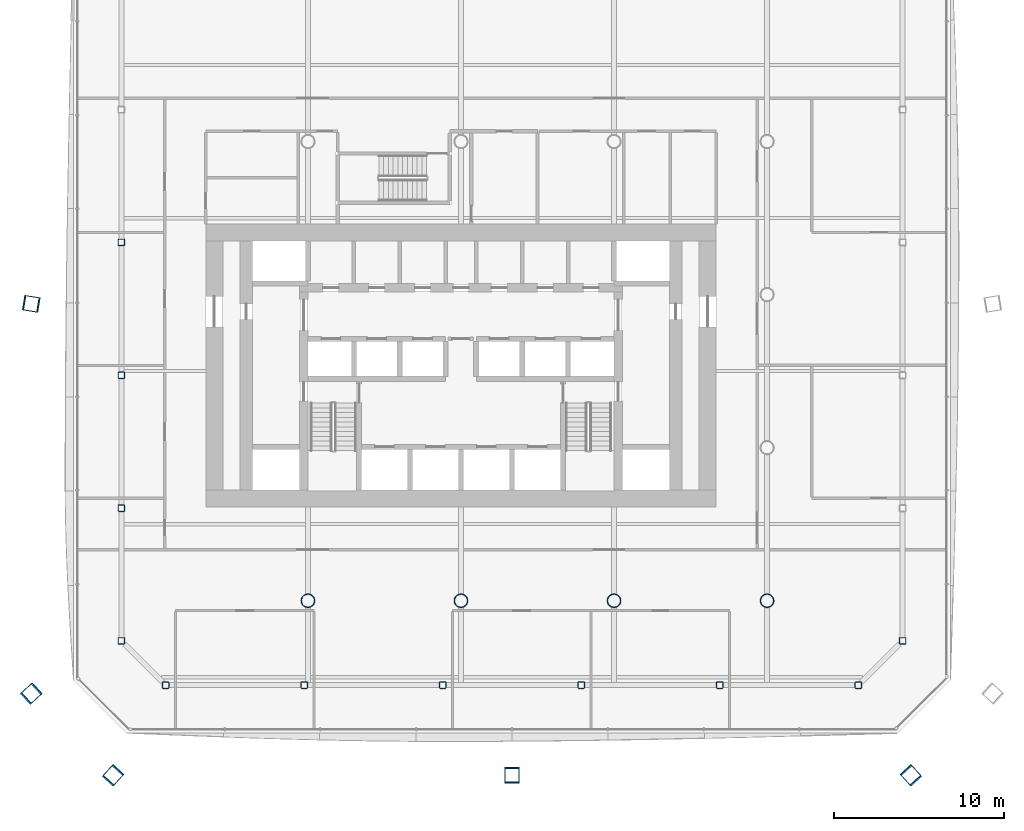
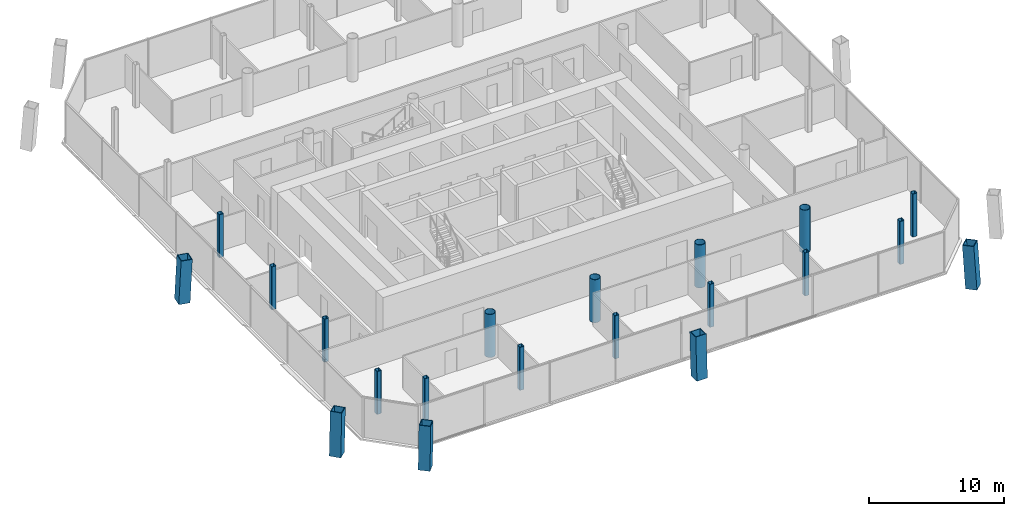
# One storey, part 1 of 20: 20 columns.
"""IFC4 building model written with IfcOpenShell, lengths in metres."""

from ifc_helpers import new_model, si_unit, direction, frame, origin, origin_2d, place, context, subcontext, project, spatial, hollow_rectangle, hollow_circle, extrude, material, material_profile, profile_set, type_object, element, save


model = new_model("IFC4")

# Units and contexts
model_context = context("Model", 3, precision=1e-05, world=origin(), true_north=direction((0.0, 1.0)))
body_context = subcontext(model_context, "Body", "Model", "MODEL_VIEW")
ifc_project = project(units=[si_unit("LENGTHUNIT", "METRE"), si_unit("AREAUNIT", "SQUARE_METRE"), si_unit("VOLUMEUNIT", "CUBIC_METRE"), si_unit("PLANEANGLEUNIT", "RADIAN"), si_unit("MASSUNIT", "GRAM", prefix="KILO")], contexts=[model_context])

# Site, building, storey
site_placement = place(None, origin())
site = spatial("IfcSite", under=ifc_project, at=site_placement, CompositionType="ELEMENT")
building_placement = place(site_placement, origin())
building = spatial("IfcBuilding", under=site, at=building_placement, Name="Tskaro Facet Tower", CompositionType="ELEMENT")
storey_placement = place(building_placement, frame((0.0, 0.0, 69.89990234375)))
storey = spatial("IfcBuildingStorey", under=building, at=storey_placement, Name="L16", CompositionType="ELEMENT", Elevation=69.89990234375)

# Columns
ifc_material_1 = material(Name="Steel S460M", Category="steel")
ifc_material_profile_1 = material_profile(ifc_material_1, hollow_rectangle(XDim=0.89990234375, YDim=0.89990234375, WallThickness=0.054931640625, at=origin_2d()), Name="BOX 900x900x55")
ifc_profile_set_1 = profile_set([ifc_material_profile_1], Name="Steel S460M")
column_type_1 = type_object("IfcColumnType", Name="BOX 900x900x55 mega column", PredefinedType="COLUMN", material=ifc_profile_set_1)
column_1_placement = place(storey_placement, frame((-20.48193359375, -28.2939453125, 0.0), z_axis=(0.042481416288, 0.046792030588, 0.99800091941), x_axis=(-0.740387195305, 0.672180631251, 0.0)))
element("IfcColumn", 1, at=column_1_placement, inside=storey, type_object=column_type_1, Name="BOX 900x900x55 MC01/2", PredefinedType="COLUMN", context=body_context, shape_type="SweptSolid", body=[
    extrude(hollow_rectangle(XDim=0.89990234375, YDim=0.89990234375, WallThickness=0.054931640625, at=origin_2d()), origin(), (0.0, 0.0, 1.0), 3.907958984375),
])
column_2_placement = place(storey_placement, frame((3.0, -28.2939453125, 0.0), z_axis=(0.0, 0.046834309926, 0.998902671642), x_axis=(-1.0, 0.0, 0.0)))
element("IfcColumn", 2, at=column_2_placement, inside=storey, type_object=column_type_1, Name="BOX 900x900x55 MC02/2", PredefinedType="COLUMN", context=body_context, shape_type="SweptSolid", body=[
    extrude(hollow_rectangle(XDim=0.89990234375, YDim=0.89990234375, WallThickness=0.054931640625, at=origin_2d()), origin(), (0.0, 0.0, 1.0), 3.904541015625),
])
column_3_placement = place(storey_placement, frame((26.48193359375, -28.2939453125, 0.0), z_axis=(-0.042481416288, 0.046792030588, 0.99800091941), x_axis=(-0.740387195305, -0.672180631251, 0.0)))
element("IfcColumn", 3, at=column_3_placement, inside=storey, type_object=column_type_1, Name="BOX 900x900x55 MC03/2", PredefinedType="COLUMN", context=body_context, shape_type="SweptSolid", body=[
    extrude(hollow_rectangle(XDim=0.89990234375, YDim=0.89990234375, WallThickness=0.054931640625, at=origin_2d()), origin(), (0.0, 0.0, 1.0), 3.907958984375),
])
column_4_placement = place(storey_placement, frame((-25.2939453125, -0.5380859375, 0.0), z_axis=(0.046832924798, -0.007690854139, 0.99887312904), x_axis=(0.162048444398, 0.986782803695, 0.0)))
element("IfcColumn", 4, at=column_4_placement, inside=storey, type_object=column_type_1, Name="BOX 900x900x55 MC11/2", PredefinedType="COLUMN", context=body_context, shape_type="SweptSolid", body=[
    extrude(hollow_rectangle(XDim=0.89990234375, YDim=0.89990234375, WallThickness=0.054931640625, at=origin_2d()), origin(), (0.0, 0.0, 1.0), 3.904541015625),
])
column_5_placement = place(storey_placement, frame((-25.2939453125, -23.48193359375, 0.0), z_axis=(0.046792030588, 0.042481416288, 0.99800091941), x_axis=(-0.672180631251, 0.740387195305, 0.0)))
element("IfcColumn", 5, at=column_5_placement, inside=storey, type_object=column_type_1, Name="BOX 900x900x55 MC12/2", PredefinedType="COLUMN", context=body_context, shape_type="SweptSolid", body=[
    extrude(hollow_rectangle(XDim=0.89990234375, YDim=0.89990234375, WallThickness=0.054931640625, at=origin_2d()), origin(), (0.0, 0.0, 1.0), 3.907958984375),
])
ifc_material_2 = material(Name="Steel S355J2H", Category="steel")
ifc_material_profile_2 = material_profile(ifc_material_2, hollow_circle(Radius=0.406494140625, WallThickness=0.035888671875, at=origin_2d()), Name="CHS 812.8x36")
ifc_profile_set_2 = profile_set([ifc_material_profile_2], Name="Steel S355J2H")
column_type_2 = type_object("IfcColumnType", Name="CHS 812.8x36 interior column", PredefinedType="COLUMN", material=ifc_profile_set_2)
for number, where, z_axis, x_axis, name in (
    (6, (-9.0, -18.0, 0.0), (0.0, 0.0, 1.0), (1.0, 0.0, 0.0), "CHS 812.8x36 C3B/2"),
    (7, (0.0, -18.0, 0.0), (0.0, 0.0, 1.0), (1.0, 0.0, 0.0), "CHS 812.8x36 C4B/2"),
    (8, (9.0, -18.0, 0.0), (0.0, 0.0, 1.0), (1.0, 0.0, 0.0), "CHS 812.8x36 C5B/2"),
    (9, (18.0, -18.0, 0.0), (0.0, 0.0, 1.0), (1.0, 0.0, 0.0), "CHS 812.8x36 C6B/2"),
):
    element("IfcColumn", number, at=place(storey_placement, frame(where, z_axis=z_axis, x_axis=x_axis)), inside=storey, type_object=column_type_2, Name=name, PredefinedType="COLUMN", context=body_context, shape_type="SweptSolid", body=[
        extrude(hollow_circle(Radius=0.406494140625, WallThickness=0.035888671875, at=origin_2d()), origin(), (0.0, 0.0, 1.0), 3.900146484375),
    ])
ifc_material_profile_3 = material_profile(ifc_material_2, hollow_rectangle(XDim=0.39990234375, YDim=0.39990234375, WallThickness=0.02490234375, InnerFilletRadius=0.03759765625, OuterFilletRadius=0.0625, at=origin_2d()), Name="SHS 400x400x25")
ifc_profile_set_3 = profile_set([ifc_material_profile_3], Name="Steel S355J2H")
column_type_3 = type_object("IfcColumnType", Name="SHS 400x400x25 ring column", PredefinedType="COLUMN", material=ifc_profile_set_3)
for number, where, z_axis, x_axis, name in (
    (10, (-17.364013671875, -22.965087890625, 0.0), (0.0, 0.0, 1.0), (1.0, 0.0, 0.0), "SHS 400x400x25 RS-1/2"),
    (11, (-9.218017578125, -22.965087890625, 0.0), (0.0, 0.0, 1.0), (1.0, 0.0, 0.0), "SHS 400x400x25 RS-2/2"),
    (12, (-1.072998046875, -22.965087890625, 0.0), (0.0, 0.0, 1.0), (1.0, 0.0, 0.0), "SHS 400x400x25 RS-3/2"),
    (13, (7.072998046875, -22.965087890625, 0.0), (0.0, 0.0, 1.0), (1.0, 0.0, 0.0), "SHS 400x400x25 RS-4/2"),
    (14, (15.218017578125, -22.965087890625, 0.0), (0.0, 0.0, 1.0), (1.0, 0.0, 0.0), "SHS 400x400x25 RS-5/2"),
    (15, (23.364013671875, -22.965087890625, 0.0), (0.0, 0.0, 1.0), (1.0, 0.0, 0.0), "SHS 400x400x25 RSE-1/2"),
    (16, (25.965087890625, -20.364013671875, 0.0), (0.0, 0.0, 1.0), (1.0, 0.0, 0.0), "SHS 400x400x25 RE-1/2"),
    (17, (-19.965087890625, 3.068115234375, 0.0), (0.0, 0.0, 1.0), (1.0, 0.0, 0.0), "SHS 400x400x25 RW-3/2"),
    (18, (-19.965087890625, -4.741943359375, 0.0), (0.0, 0.0, 1.0), (1.0, 0.0, 0.0), "SHS 400x400x25 RW-4/2"),
    (19, (-19.965087890625, -12.552978515625, 0.0), (0.0, 0.0, 1.0), (1.0, 0.0, 0.0), "SHS 400x400x25 RW-5/2"),
    (20, (-19.965087890625, -20.364013671875, 0.0), (0.0, 0.0, 1.0), (1.0, 0.0, 0.0), "SHS 400x400x25 RSW-1/2"),
):
    element("IfcColumn", number, at=place(storey_placement, frame(where, z_axis=z_axis, x_axis=x_axis)), inside=storey, type_object=column_type_3, Name=name, PredefinedType="COLUMN", context=body_context, shape_type="SweptSolid", body=[
        extrude(hollow_rectangle(XDim=0.39990234375, YDim=0.39990234375, WallThickness=0.02490234375, InnerFilletRadius=0.03759765625, OuterFilletRadius=0.0625, at=origin_2d()), origin(), (0.0, 0.0, 1.0), 3.900146484375),
    ])

save(model, "model.ifc")
